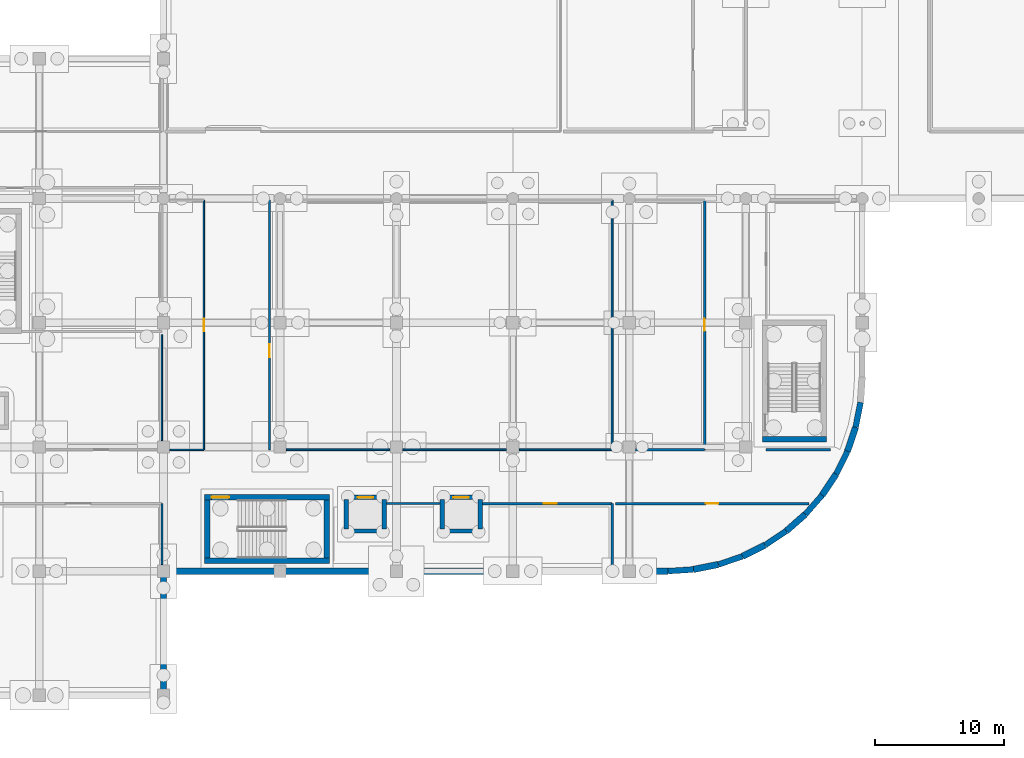
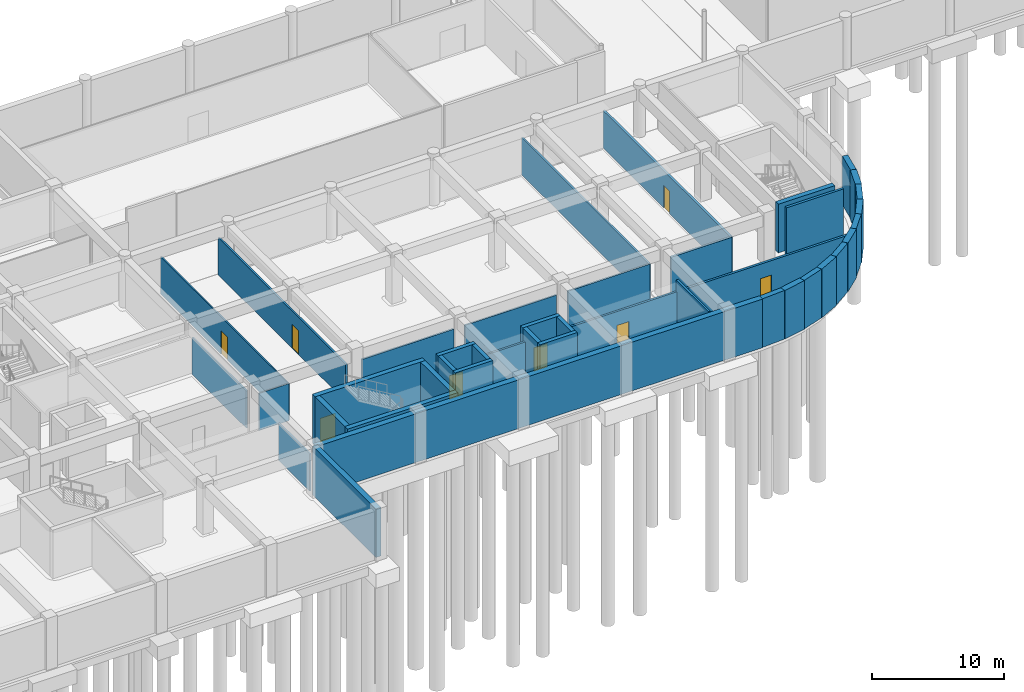
# One storey, part 16 of 47: 42 walls, 8 doors, 8 openings.
"""IFC4 building model written with IfcOpenShell, lengths in metres."""

from ifc_helpers import new_model, si_unit, direction, frame, frame_2d, origin, place, context, subcontext, project, spatial, rectangle, extrude, material, layer, layer_set, type_object, element, fill, save


model = new_model("IFC4")

# Units and contexts
model_context = context("Model", 3, precision=1e-05, world=origin(), true_north=direction((0.0, 1.0)))
body_context = subcontext(model_context, "Body", "Model", "MODEL_VIEW")
ifc_project = project(units=[si_unit("LENGTHUNIT", "METRE"), si_unit("AREAUNIT", "SQUARE_METRE"), si_unit("VOLUMEUNIT", "CUBIC_METRE"), si_unit("PLANEANGLEUNIT", "RADIAN"), si_unit("MASSUNIT", "GRAM", prefix="KILO")], contexts=[model_context])

# Site, building, storey
site_placement = place(None, origin())
site = spatial("IfcSite", under=ifc_project, at=site_placement, CompositionType="ELEMENT")
building_placement = place(site_placement, origin())
building = spatial("IfcBuilding", under=site, at=building_placement, Name="Cendralis Terraced Arcade", CompositionType="ELEMENT")
storey_placement = place(building_placement, frame((0.0, 0.0, -4.800048828125)))
storey = spatial("IfcBuildingStorey", under=building, at=storey_placement, Name="B1", CompositionType="ELEMENT", Elevation=-4.800048828125)

# Wall, opening, door
ifc_material_1 = material(Name="Gypsum plasterboard acoustic partition", Category="concrete")
ifc_layer_1 = layer(ifc_material_1, 0.195068359375, Name="WL-ACOU-195")
ifc_layer_set_1 = layer_set([ifc_layer_1], Name="Gypsum plasterboard acoustic partition")
wall_type_1 = type_object("IfcWallType", Name="WL-ACOU-195", PredefinedType="PARTITIONING", material=ifc_layer_set_1)
wall_1_placement = place(storey_placement, frame((109.02001953125, 38.280029296875, 0.0), z_axis=(0.0, 0.0, 1.0), x_axis=(0.0, -1.0, 0.0)))
wall_1 = element("IfcWall", 1, at=wall_1_placement, inside=storey, type_object=wall_type_1, Name="Interior Partition Wall IW-B1-0147", PredefinedType="PARTITIONING", context=body_context, shape_type="SweptSolid", body=[
    extrude(rectangle(XDim=19.300048828125, YDim=0.195068359375, at=frame_2d((9.64990234375, 0.0))), origin(), (0.0, 0.0, 1.0), 3.43994140625),
])
opening_1_placement = place(wall_1_placement, frame((9.18994140625, 0.0, 0.0)))
opening_1 = element("IfcOpeningElement", 2, at=opening_1_placement, cuts=wall_1, Name="Opening D-B1-048", PredefinedType="OPENING", context=body_context, shape_type="SweptSolid", body=[
    extrude(rectangle(XDim=0.919921875, YDim=2.10009765625, at=frame_2d((0.4599609375, 1.050048828125))), frame((0.0, 0.109375, 0.0), z_axis=(0.0, -1.0, 0.0), x_axis=(1.0, 0.0, 0.0)), (0.0, 0.0, 1.0), 0.218994140625),
])
ifc_material_2 = material(Name="Solid core Andean oak veneer door leaf", Category="aluminium")
door_type_1 = type_object("IfcDoorType", Name="ID-RM-0920x2100", OperationType="NOTDEFINED", PredefinedType="DOOR", material=ifc_material_2)
door_1_placement = place(opening_1_placement, origin())
door_1 = element("IfcDoor", 3, at=door_1_placement, inside=storey, type_object=door_type_1, Name="Culinary Cold Stockroom and Wine Vault Door D-B1-048", OperationType="SINGLE_SWING_RIGHT", OverallHeight=2.10009765625, OverallWidth=0.919921875, PredefinedType="DOOR", context=body_context, shape_type="SweptSolid", body=[
    extrude(rectangle(XDim=0.919921875, YDim=2.10009765625, at=frame_2d((0.4599609375, 1.050048828125))), frame((0.0, 0.02490234375, 0.0), z_axis=(0.0, -1.0, 0.0), x_axis=(1.0, 0.0, 0.0)), (0.0, 0.0, 1.0), 0.050048828125),
])
fill(opening_1, door_1)

ifc_layer_2 = layer(ifc_material_1, 0.205078125, Name="WL-ACOU-205")
ifc_layer_set_2 = layer_set([ifc_layer_2], Name="Gypsum plasterboard acoustic partition")
wall_type_2 = type_object("IfcWallType", Name="WL-ACOU-205", PredefinedType="PARTITIONING", material=ifc_layer_set_2)
wall_2_placement = place(storey_placement, frame((102.1201171875, 14.820068359375, 0.0), z_axis=(0.0, 0.0, 1.0), x_axis=(1.0, 0.0, 0.0)))
wall_2 = element("IfcWall", 4, at=wall_2_placement, inside=storey, type_object=wall_type_2, Name="Interior Partition Wall IW-B1-0146", PredefinedType="PARTITIONING", context=body_context, shape_type="SweptSolid", body=[
    extrude(rectangle(XDim=14.959228515625, YDim=0.205078125, at=frame_2d((7.4794921875, 0.0))), origin(), (0.0, 0.0, 1.0), 3.43994140625),
])
opening_2_placement = place(wall_2_placement, frame((7.004638671875, 0.0, 0.0)))
opening_2 = element("IfcOpeningElement", 5, at=opening_2_placement, cuts=wall_2, Name="Opening D-B1-047", PredefinedType="OPENING", context=body_context, shape_type="SweptSolid", body=[
    extrude(rectangle(XDim=0.949951171875, YDim=2.10009765625, at=frame_2d((0.47509765625, 1.050048828125))), frame((0.0, 0.114501953125, 0.0), z_axis=(0.0, -1.0, 0.0), x_axis=(1.0, 0.0, 0.0)), (0.0, 0.0, 1.0), 0.22900390625),
])
door_type_2 = type_object("IfcDoorType", Name="ID-RM-0950x2100", OperationType="NOTDEFINED", PredefinedType="DOOR", material=ifc_material_2)
door_2_placement = place(opening_2_placement, origin())
door_2 = element("IfcDoor", 6, at=door_2_placement, inside=storey, type_object=door_type_2, Name="Culinary Cold Stockroom and Wine Vault Door D-B1-047", OperationType="SINGLE_SWING_LEFT", OverallHeight=2.10009765625, OverallWidth=0.949951171875, PredefinedType="DOOR", context=body_context, shape_type="SweptSolid", body=[
    extrude(rectangle(XDim=0.949951171875, YDim=2.10009765625, at=frame_2d((0.47509765625, 1.050048828125))), frame((0.0, 0.02490234375, 0.0), z_axis=(0.0, -1.0, 0.0), x_axis=(1.0, 0.0, 0.0)), (0.0, 0.0, 1.0), 0.050048828125),
])
fill(opening_2, door_2)

# Walls
ifc_material_3 = material(Name="Autoclaved aerated concrete blockwork", Category="masonry")
ifc_layer_3 = layer(ifc_material_3, 0.221923828125, Name="WL-ACOU-222")
ifc_layer_set_3 = layer_set([ifc_layer_3], Name="Autoclaved aerated concrete blockwork")
wall_type_3 = type_object("IfcWallType", Name="WL-ACOU-222", PredefinedType="PARTITIONING", material=ifc_layer_set_3)
wall_3_placement = place(storey_placement, frame((118.7568359375, 18.97998046875, 0.0), z_axis=(0.0, 0.0, 1.0), x_axis=(-1.0, 0.0, 0.0)))
element("IfcWall", 7, at=wall_3_placement, inside=storey, type_object=wall_type_3, Name="Interior Partition Wall IW-B1-0145", PredefinedType="PARTITIONING", context=body_context, shape_type="SweptSolid", body=[
    extrude(rectangle(XDim=4.976806640625, YDim=0.221923828125, at=frame_2d((2.48828125, 0.0))), origin(), (0.0, 0.0, 1.0), 4.5),
])
ifc_material_4 = material(Name="Concrete f'c 42 MPa", Category="concrete")
ifc_layer_4 = layer(ifc_material_4, 0.340087890625, Name="WL-CORE-340")
ifc_layer_set_4 = layer_set([ifc_layer_4], Name="Concrete f'c 42 MPa")
wall_type_4 = type_object("IfcWallType", Name="WL-CORE-340", PredefinedType="SHEAR", material=ifc_layer_set_4)
wall_4_placement = place(storey_placement, frame((81.159912109375, 12.705078125, 0.0), z_axis=(0.0, 0.0, 1.0), x_axis=(1.0, 0.0, 0.0)))
element("IfcWall", 8, at=wall_4_placement, inside=storey, type_object=wall_type_4, Name="Lift PL-07 Reinforced Concrete Shaft Wall (B1)", PredefinedType="SHEAR", context=body_context, shape_type="SweptSolid", body=[
    extrude(rectangle(XDim=3.280029296875, YDim=0.340087890625, at=frame_2d((1.64013671875, 0.0))), origin(), (0.0, 0.0, 1.0), 4.5),
])

# Wall, opening, door
wall_5_placement = place(storey_placement, frame((81.159912109375, 15.294921875, 0.0), z_axis=(0.0, 0.0, 1.0), x_axis=(1.0, 0.0, 0.0)))
wall_5 = element("IfcWall", 9, at=wall_5_placement, inside=storey, type_object=wall_type_4, Name="Lift PL-07 Reinforced Concrete Shaft Wall (B1)", PredefinedType="SHEAR", context=body_context, shape_type="SweptSolid", body=[
    extrude(rectangle(XDim=3.280029296875, YDim=0.340087890625, at=frame_2d((1.64013671875, 0.0))), origin(), (0.0, 0.0, 1.0), 4.5),
])
opening_3_placement = place(wall_5_placement, frame((1.0400390625, 0.0, 0.0)))
opening_3 = element("IfcOpeningElement", 10, at=opening_3_placement, cuts=wall_5, Name="Opening LD-PL-07-B1", PredefinedType="OPENING", context=body_context, shape_type="SweptSolid", body=[
    extrude(rectangle(XDim=1.199951171875, YDim=2.199951171875, at=frame_2d((0.60009765625, 1.10009765625))), frame((0.0, 0.18212890625, 0.0), z_axis=(0.0, -1.0, 0.0), x_axis=(1.0, 0.0, 0.0)), (0.0, 0.0, 1.0), 0.364013671875),
])
ifc_material_5 = material(Name="Anodised aluminium sliding door assembly", Category="aluminium")
door_type_3 = type_object("IfcDoorType", Name="ID-LD-PX-1200x2200", OperationType="DOUBLE_DOOR_SLIDING", PredefinedType="DOOR", material=ifc_material_5)
door_3_placement = place(opening_3_placement, origin())
door_3 = element("IfcDoor", 11, at=door_3_placement, inside=storey, type_object=door_type_3, Name="Lift PL-07 Sliding Landing Door (B1)", OperationType="DOUBLE_DOOR_SLIDING", OverallHeight=2.199951171875, OverallWidth=1.199951171875, PredefinedType="DOOR", context=body_context, shape_type="SweptSolid", body=[
    extrude(rectangle(XDim=1.199951171875, YDim=2.199951171875, at=frame_2d((0.60009765625, 1.10009765625))), frame((0.0, 0.02490234375, 0.0), z_axis=(0.0, -1.0, 0.0), x_axis=(1.0, 0.0, 0.0)), (0.0, 0.0, 1.0), 0.050048828125),
])
fill(opening_3, door_3)

# Walls
for number, where, z_axis, x_axis, name in (
    (12, (81.330078125, 12.875, 0.0), (0.0, 0.0, 1.0), (0.0, 1.0, 0.0), "Lift PL-07 Reinforced Concrete Shaft Wall (B1)"),
    (13, (84.27001953125, 12.875, 0.0), (0.0, 0.0, 1.0), (0.0, 1.0, 0.0), "Lift PL-07 Reinforced Concrete Shaft Wall (B1)"),
):
    element("IfcWall", number, at=place(storey_placement, frame(where, z_axis=z_axis, x_axis=x_axis)), inside=storey, type_object=wall_type_4, Name=name, PredefinedType="SHEAR", context=body_context, shape_type="SweptSolid", body=[
        extrude(rectangle(XDim=2.25, YDim=0.340087890625, at=frame_2d((1.125, 0.0))), origin(), (0.0, 0.0, 1.0), 4.5),
    ])
wall_6_placement = place(storey_placement, frame((88.56005859375, 12.705078125, 0.0), z_axis=(0.0, 0.0, 1.0), x_axis=(1.0, 0.0, 0.0)))
element("IfcWall", 14, at=wall_6_placement, inside=storey, type_object=wall_type_4, Name="Lift PL-08 Reinforced Concrete Shaft Wall (B1)", PredefinedType="SHEAR", context=body_context, shape_type="SweptSolid", body=[
    extrude(rectangle(XDim=3.280029296875, YDim=0.340087890625, at=frame_2d((1.64013671875, 0.0))), origin(), (0.0, 0.0, 1.0), 4.5),
])

# Wall, opening, door
wall_7_placement = place(storey_placement, frame((88.56005859375, 15.294921875, 0.0), z_axis=(0.0, 0.0, 1.0), x_axis=(1.0, 0.0, 0.0)))
wall_7 = element("IfcWall", 15, at=wall_7_placement, inside=storey, type_object=wall_type_4, Name="Lift PL-08 Reinforced Concrete Shaft Wall (B1)", PredefinedType="SHEAR", context=body_context, shape_type="SweptSolid", body=[
    extrude(rectangle(XDim=3.280029296875, YDim=0.340087890625, at=frame_2d((1.64013671875, 0.0))), origin(), (0.0, 0.0, 1.0), 4.5),
])
opening_4_placement = place(wall_7_placement, frame((1.0400390625, 0.0, 0.0)))
opening_4 = element("IfcOpeningElement", 16, at=opening_4_placement, cuts=wall_7, Name="Opening LD-PL-08-B1", PredefinedType="OPENING", context=body_context, shape_type="SweptSolid", body=[
    extrude(rectangle(XDim=1.199951171875, YDim=2.199951171875, at=frame_2d((0.60009765625, 1.10009765625))), frame((0.0, 0.18212890625, 0.0), z_axis=(0.0, -1.0, 0.0), x_axis=(1.0, 0.0, 0.0)), (0.0, 0.0, 1.0), 0.364013671875),
])
door_4_placement = place(opening_4_placement, origin())
door_4 = element("IfcDoor", 17, at=door_4_placement, inside=storey, type_object=door_type_3, Name="Lift PL-08 Sliding Landing Door (B1)", OperationType="DOUBLE_DOOR_SLIDING", OverallHeight=2.199951171875, OverallWidth=1.199951171875, PredefinedType="DOOR", context=body_context, shape_type="SweptSolid", body=[
    extrude(rectangle(XDim=1.199951171875, YDim=2.199951171875, at=frame_2d((0.60009765625, 1.10009765625))), frame((0.0, 0.02490234375, 0.0), z_axis=(0.0, -1.0, 0.0), x_axis=(1.0, 0.0, 0.0)), (0.0, 0.0, 1.0), 0.050048828125),
])
fill(opening_4, door_4)

# Walls
for number, where, z_axis, x_axis, name in (
    (18, (88.72998046875, 12.875, 0.0), (0.0, 0.0, 1.0), (0.0, 1.0, 0.0), "Lift PL-08 Reinforced Concrete Shaft Wall (B1)"),
    (19, (91.669921875, 12.875, 0.0), (0.0, 0.0, 1.0), (0.0, 1.0, 0.0), "Lift PL-08 Reinforced Concrete Shaft Wall (B1)"),
):
    element("IfcWall", number, at=place(storey_placement, frame(where, z_axis=z_axis, x_axis=x_axis)), inside=storey, type_object=wall_type_4, Name=name, PredefinedType="SHEAR", context=body_context, shape_type="SweptSolid", body=[
        extrude(rectangle(XDim=2.25, YDim=0.340087890625, at=frame_2d((1.125, 0.0))), origin(), (0.0, 0.0, 1.0), 4.5),
    ])
ifc_layer_5 = layer(ifc_material_4, 0.419921875, Name="WL-CORE-420")
ifc_layer_set_5 = layer_set([ifc_layer_5], Name="Concrete f'c 42 MPa")
wall_type_5 = type_object("IfcWallType", Name="WL-CORE-420", PredefinedType="SHEAR", material=ifc_layer_set_5)
wall_8_placement = place(storey_placement, frame((70.3798828125, 10.389892578125, 0.0), z_axis=(0.0, 0.0, 1.0), x_axis=(1.0, 0.0, 0.0)))
element("IfcWall", 20, at=wall_8_placement, inside=storey, type_object=wall_type_5, Name="Stair Core Reinforced Concrete Shear Wall SW-ST-08-B1-S", PredefinedType="SHEAR", context=body_context, shape_type="SweptSolid", body=[
    extrude(rectangle(XDim=9.64013671875, YDim=0.419921875, at=frame_2d((4.820068359375, 0.0))), origin(), (0.0, 0.0, 1.0), 4.5),
])

# Wall, opening, door
wall_9_placement = place(storey_placement, frame((70.3798828125, 15.31005859375, 0.0), z_axis=(0.0, 0.0, 1.0), x_axis=(1.0, 0.0, 0.0)))
wall_9 = element("IfcWall", 21, at=wall_9_placement, inside=storey, type_object=wall_type_5, Name="Stair Core Reinforced Concrete Shear Wall SW-ST-08-B1-N", PredefinedType="SHEAR", context=body_context, shape_type="SweptSolid", body=[
    extrude(rectangle(XDim=9.64013671875, YDim=0.419921875, at=frame_2d((4.820068359375, 0.0))), origin(), (0.0, 0.0, 1.0), 4.5),
])
opening_5_placement = place(wall_9_placement, frame((0.550048828125, 0.0, 0.0)))
opening_5 = element("IfcOpeningElement", 22, at=opening_5_placement, cuts=wall_9, Name="Opening D-ST-08-B1", PredefinedType="OPENING", context=body_context, shape_type="SweptSolid", body=[
    extrude(rectangle(XDim=1.35009765625, YDim=2.199951171875, at=frame_2d((0.675048828125, 1.10009765625))), frame((0.0, 0.221923828125, 0.0), z_axis=(0.0, -1.0, 0.0), x_axis=(1.0, 0.0, 0.0)), (0.0, 0.0, 1.0), 0.44384765625),
])
ifc_material_6 = material(Name="Galvanised fire-rated steel door assembly", Category="steel")
door_type_4 = type_object("IfcDoorType", Name="ID-ST-1350x2200", OperationType="NOTDEFINED", PredefinedType="DOOR", material=ifc_material_6)
door_5_placement = place(opening_5_placement, frame((1.35009765625, 0.0, 0.0), z_axis=(0.0, 0.0, 1.0), x_axis=(-1.0, 0.0, 0.0)))
door_5 = element("IfcDoor", 23, at=door_5_placement, inside=storey, type_object=door_type_4, Name="Protected Stair ST-08 Fire Door (B1)", OperationType="SINGLE_SWING_RIGHT", OverallHeight=2.199951171875, OverallWidth=1.35009765625, PredefinedType="DOOR", context=body_context, shape_type="SweptSolid", body=[
    extrude(rectangle(XDim=1.35009765625, YDim=2.199951171875, at=frame_2d((0.675048828125, 1.10009765625))), frame((0.0, 0.02490234375, 0.0), z_axis=(0.0, -1.0, 0.0), x_axis=(1.0, 0.0, 0.0)), (0.0, 0.0, 1.0), 0.050048828125),
])
fill(opening_5, door_5)

# Walls
for number, where, z_axis, x_axis, name in (
    (24, (79.81005859375, 10.60009765625, 0.0), (0.0, 0.0, 1.0), (0.0, 1.0, 0.0), "Stair Core Reinforced Concrete Shear Wall SW-ST-08-B1-E"),
    (25, (70.590087890625, 10.60009765625, 0.0), (0.0, 0.0, 1.0), (0.0, 1.0, 0.0), "Stair Core Reinforced Concrete Shear Wall SW-ST-08-B1-W"),
):
    element("IfcWall", number, at=place(storey_placement, frame(where, z_axis=z_axis, x_axis=x_axis)), inside=storey, type_object=wall_type_5, Name=name, PredefinedType="SHEAR", context=body_context, shape_type="SweptSolid", body=[
        extrude(rectangle(XDim=4.5, YDim=0.419921875, at=frame_2d((2.25, 0.0))), origin(), (0.0, 0.0, 1.0), 4.5),
    ])
wall_10_placement = place(storey_placement, frame((113.47998046875, 19.7900390625, 0.0), z_axis=(0.0, 0.0, 1.0), x_axis=(1.0, 0.0, 0.0)))
element("IfcWall", 26, at=wall_10_placement, inside=storey, type_object=wall_type_5, Name="Stair Core Reinforced Concrete Shear Wall SW-ST-09-B1-S", PredefinedType="SHEAR", context=body_context, shape_type="SweptSolid", body=[
    extrude(rectangle(XDim=4.93994140625, YDim=0.419921875, at=frame_2d((2.469970703125, 0.0))), origin(), (0.0, 0.0, 1.0), 4.5),
])
ifc_layer_6 = layer(ifc_material_1, 0.114990234375, Name="WL-PART-115")
ifc_layer_set_6 = layer_set([ifc_layer_6], Name="Gypsum plasterboard acoustic partition")
wall_type_6 = type_object("IfcWallType", Name="WL-PART-115", PredefinedType="PARTITIONING", material=ifc_layer_set_6)
wall_11_placement = place(storey_placement, frame((70.320068359375, 18.97998046875, 0.0), z_axis=(0.0, 0.0, 1.0), x_axis=(-1.0, 0.0, 0.0)))
element("IfcWall", 27, at=wall_11_placement, inside=storey, type_object=wall_type_6, Name="Interior Partition Wall IW-B1-0142", PredefinedType="PARTITIONING", context=body_context, shape_type="SweptSolid", body=[
    extrude(rectangle(XDim=2.625, YDim=0.114990234375, at=frame_2d((1.3125, 0.0))), origin(), (0.0, 0.0, 1.0), 3.43994140625),
])
ifc_layer_7 = layer(ifc_material_1, 0.1220703125, Name="WL-PART-122")
ifc_layer_set_7 = layer_set([ifc_layer_7], Name="Gypsum plasterboard acoustic partition")
wall_type_7 = type_object("IfcWallType", Name="WL-PART-122", PredefinedType="PARTITIONING", material=ifc_layer_set_7)
wall_12_placement = place(storey_placement, frame((67.080078125, 27.8798828125, 0.0), z_axis=(0.0, 0.0, 1.0), x_axis=(0.0, -1.0, 0.0)))
element("IfcWall", 28, at=wall_12_placement, inside=storey, type_object=wall_type_7, Name="Interior Partition Wall IW-B1-0119", PredefinedType="PARTITIONING", context=body_context, shape_type="SweptSolid", body=[
    extrude(rectangle(XDim=8.184814453125, YDim=0.1220703125, at=frame_2d((4.09228515625, 0.0))), origin(), (0.0, 0.0, 1.0), 3.43994140625),
])

# Wall, opening, door
wall_13_placement = place(storey_placement, frame((70.320068359375, 38.280029296875, 0.0), z_axis=(0.0, 0.0, 1.0), x_axis=(0.0, -1.0, 0.0)))
wall_13 = element("IfcWall", 29, at=wall_13_placement, inside=storey, type_object=wall_type_7, Name="Interior Partition Wall IW-B1-0140", PredefinedType="PARTITIONING", context=body_context, shape_type="SweptSolid", body=[
    extrude(rectangle(XDim=19.300048828125, YDim=0.1220703125, at=frame_2d((9.64990234375, 0.0))), origin(), (0.0, 0.0, 1.0), 3.43994140625),
])
opening_6_placement = place(wall_13_placement, frame((9.159912109375, 0.0, 0.0)))
opening_6 = element("IfcOpeningElement", 30, at=opening_6_placement, cuts=wall_13, Name="Opening D-B1-045", PredefinedType="OPENING", context=body_context, shape_type="SweptSolid", body=[
    extrude(rectangle(XDim=0.97998046875, YDim=2.14990234375, at=frame_2d((0.489990234375, 1.074951171875))), frame((0.0, 0.072998046875, 0.0), z_axis=(0.0, -1.0, 0.0), x_axis=(1.0, 0.0, 0.0)), (0.0, 0.0, 1.0), 0.14599609375),
])
door_type_5 = type_object("IfcDoorType", Name="ID-RM-0980x2150", OperationType="NOTDEFINED", PredefinedType="DOOR", material=ifc_material_2)
door_6_placement = place(opening_6_placement, origin())
door_6 = element("IfcDoor", 31, at=door_6_placement, inside=storey, type_object=door_type_5, Name="Specialty Supermarket and Wine Cellar Door D-B1-045", OperationType="SINGLE_SWING_LEFT", OverallHeight=2.14990234375, OverallWidth=0.97998046875, PredefinedType="DOOR", context=body_context, shape_type="SweptSolid", body=[
    extrude(rectangle(XDim=0.97998046875, YDim=2.14990234375, at=frame_2d((0.489990234375, 1.074951171875))), frame((0.0, 0.02490234375, 0.0), z_axis=(0.0, -1.0, 0.0), x_axis=(1.0, 0.0, 0.0)), (0.0, 0.0, 1.0), 0.050048828125),
])
fill(opening_6, door_6)

# Walls
ifc_layer_8 = layer(ifc_material_1, 0.137939453125, Name="WL-PART-138")
ifc_layer_set_8 = layer_set([ifc_layer_8], Name="Gypsum plasterboard acoustic partition")
wall_type_8 = type_object("IfcWallType", Name="WL-PART-138", PredefinedType="PARTITIONING", material=ifc_layer_set_8)
wall_14_placement = place(storey_placement, frame((67.080078125, 14.820068359375, 0.0), z_axis=(0.0, 0.0, 1.0), x_axis=(0.0, -1.0, 0.0)))
element("IfcWall", 32, at=wall_14_placement, inside=storey, type_object=wall_type_8, Name="Interior Partition Wall IW-B1-0116", PredefinedType="PARTITIONING", context=body_context, shape_type="SweptSolid", body=[
    extrude(rectangle(XDim=4.72509765625, YDim=0.137939453125, at=frame_2d((2.362548828125, 0.0))), origin(), (0.0, 0.0, 1.0), 3.43994140625),
])
ifc_layer_9 = layer(ifc_material_1, 0.14208984375, Name="WL-PART-142")
ifc_layer_set_9 = layer_set([ifc_layer_9], Name="Gypsum plasterboard acoustic partition")
wall_type_9 = type_object("IfcWallType", Name="WL-PART-142", PredefinedType="PARTITIONING", material=ifc_layer_set_9)
wall_15_placement = place(storey_placement, frame((101.8798828125, 18.97998046875, 0.0), z_axis=(0.0, 0.0, 1.0), x_axis=(-1.0, 0.0, 0.0)))
element("IfcWall", 33, at=wall_15_placement, inside=storey, type_object=wall_type_9, Name="Interior Partition Wall IW-B1-0136", PredefinedType="PARTITIONING", context=body_context, shape_type="SweptSolid", body=[
    extrude(rectangle(XDim=7.184814453125, YDim=0.14208984375, at=frame_2d((3.59228515625, 0.0))), origin(), (0.0, 0.0, 1.0), 3.43994140625),
])
ifc_layer_10 = layer(ifc_material_1, 0.14501953125, Name="WL-PART-145")
ifc_layer_set_10 = layer_set([ifc_layer_10], Name="Gypsum plasterboard acoustic partition")
wall_type_10 = type_object("IfcWallType", Name="WL-PART-145", PredefinedType="PARTITIONING", material=ifc_layer_set_10)
wall_16_placement = place(storey_placement, frame((93.705078125, 18.97998046875, 0.0), z_axis=(0.0, 0.0, 1.0), x_axis=(-1.0, 0.0, 0.0)))
element("IfcWall", 34, at=wall_16_placement, inside=storey, type_object=wall_type_10, Name="Interior Partition Wall IW-B1-0135", PredefinedType="PARTITIONING", context=body_context, shape_type="SweptSolid", body=[
    extrude(rectangle(XDim=8.010009765625, YDim=0.14501953125, at=frame_2d((4.0048828125, 0.0))), origin(), (0.0, 0.0, 1.0), 3.43994140625),
])
ifc_layer_11 = layer(ifc_material_1, 0.14990234375, Name="WL-PART-150")
ifc_layer_set_11 = layer_set([ifc_layer_11], Name="Gypsum plasterboard acoustic partition")
wall_type_11 = type_object("IfcWallType", Name="WL-PART-150", PredefinedType="PARTITIONING", material=ifc_layer_set_11)
wall_17_placement = place(storey_placement, frame((84.705078125, 18.97998046875, 0.0), z_axis=(0.0, 0.0, 1.0), x_axis=(-1.0, 0.0, 0.0)))
element("IfcWall", 35, at=wall_17_placement, inside=storey, type_object=wall_type_11, Name="Interior Partition Wall IW-B1-0134", PredefinedType="PARTITIONING", context=body_context, shape_type="SweptSolid", body=[
    extrude(rectangle(XDim=8.010009765625, YDim=0.14990234375, at=frame_2d((4.0048828125, 0.0))), origin(), (0.0, 0.0, 1.0), 3.43994140625),
])
ifc_layer_12 = layer(ifc_material_1, 0.154052734375, Name="WL-PART-154")
ifc_layer_set_12 = layer_set([ifc_layer_12], Name="Gypsum plasterboard acoustic partition")
wall_type_12 = type_object("IfcWallType", Name="WL-PART-154", PredefinedType="PARTITIONING", material=ifc_layer_set_12)
wall_18_placement = place(storey_placement, frame((101.8798828125, 38.280029296875, 0.0), z_axis=(0.0, 0.0, 1.0), x_axis=(0.0, -1.0, 0.0)))
element("IfcWall", 36, at=wall_18_placement, inside=storey, type_object=wall_type_12, Name="Interior Partition Wall IW-B1-0133", PredefinedType="PARTITIONING", context=body_context, shape_type="SweptSolid", body=[
    extrude(rectangle(XDim=19.300048828125, YDim=0.154052734375, at=frame_2d((9.64990234375, 0.0))), origin(), (0.0, 0.0, 1.0), 3.43994140625),
])

# Wall, opening, door
ifc_layer_13 = layer(ifc_material_1, 0.159912109375, Name="WL-PART-160")
ifc_layer_set_13 = layer_set([ifc_layer_13], Name="Gypsum plasterboard acoustic partition")
wall_type_13 = type_object("IfcWallType", Name="WL-PART-160", PredefinedType="PARTITIONING", material=ifc_layer_set_13)
wall_19_placement = place(storey_placement, frame((75.3798828125, 18.97998046875, 0.0), z_axis=(0.0, 0.0, 1.0), x_axis=(0.0, 1.0, 0.0)))
wall_19 = element("IfcWall", 37, at=wall_19_placement, inside=storey, type_object=wall_type_13, Name="Interior Partition Wall IW-B1-0132", PredefinedType="PARTITIONING", context=body_context, shape_type="SweptSolid", body=[
    extrude(rectangle(XDim=19.300048828125, YDim=0.159912109375, at=frame_2d((9.64990234375, 0.0))), origin(), (0.0, 0.0, 1.0), 3.43994140625),
])
opening_7_placement = place(wall_19_placement, frame((7.14990234375, 0.0, 0.0)))
opening_7 = element("IfcOpeningElement", 38, at=opening_7_placement, cuts=wall_19, Name="Opening D-B1-044", PredefinedType="OPENING", context=body_context, shape_type="SweptSolid", body=[
    extrude(rectangle(XDim=1.0, YDim=2.199951171875, at=frame_2d((0.5, 1.10009765625))), frame((0.0, 0.091796875, 0.0), z_axis=(0.0, -1.0, 0.0), x_axis=(1.0, 0.0, 0.0)), (0.0, 0.0, 1.0), 0.183837890625),
])
door_type_6 = type_object("IfcDoorType", Name="ID-RM-1000x2200", OperationType="NOTDEFINED", PredefinedType="DOOR", material=ifc_material_2)
door_7_placement = place(opening_7_placement, origin())
door_7 = element("IfcDoor", 39, at=door_7_placement, inside=storey, type_object=door_type_6, Name="Specialty Supermarket and Wine Cellar Door D-B1-044", OperationType="SINGLE_SWING_RIGHT", OverallHeight=2.199951171875, OverallWidth=1.0, PredefinedType="DOOR", context=body_context, shape_type="SweptSolid", body=[
    extrude(rectangle(XDim=1.0, YDim=2.199951171875, at=frame_2d((0.5, 1.10009765625))), frame((0.0, 0.02490234375, 0.0), z_axis=(0.0, -1.0, 0.0), x_axis=(1.0, 0.0, 0.0)), (0.0, 0.0, 1.0), 0.050048828125),
])
fill(opening_7, door_7)

# Walls
ifc_layer_14 = layer(ifc_material_1, 0.169921875, Name="WL-PART-170")
ifc_layer_set_14 = layer_set([ifc_layer_14], Name="Gypsum plasterboard acoustic partition")
wall_type_14 = type_object("IfcWallType", Name="WL-PART-170", PredefinedType="PARTITIONING", material=ifc_layer_set_14)
wall_20_placement = place(storey_placement, frame((84.43994140625, 14.820068359375, 0.0), z_axis=(0.0, 0.0, 1.0), x_axis=(1.0, 0.0, 0.0)))
element("IfcWall", 40, at=wall_20_placement, inside=storey, type_object=wall_type_14, Name="Interior Partition Wall IW-B1-0131", PredefinedType="PARTITIONING", context=body_context, shape_type="SweptSolid", body=[
    extrude(rectangle(XDim=4.1201171875, YDim=0.169921875, at=frame_2d((2.06005859375, 0.0))), origin(), (0.0, 0.0, 1.0), 3.43994140625),
])
ifc_layer_15 = layer(ifc_material_1, 0.175048828125, Name="WL-PART-175")
ifc_layer_set_15 = layer_set([ifc_layer_15], Name="Gypsum plasterboard acoustic partition")
wall_type_15 = type_object("IfcWallType", Name="WL-PART-175", PredefinedType="PARTITIONING", material=ifc_layer_set_15)
wall_21_placement = place(storey_placement, frame((101.8798828125, 14.820068359375, 0.0), z_axis=(0.0, 0.0, 1.0), x_axis=(0.0, -1.0, 0.0)))
element("IfcWall", 41, at=wall_21_placement, inside=storey, type_object=wall_type_15, Name="Interior Partition Wall IW-B1-0130", PredefinedType="PARTITIONING", context=body_context, shape_type="SweptSolid", body=[
    extrude(rectangle(XDim=4.880126953125, YDim=0.175048828125, at=frame_2d((2.43994140625, 0.0))), origin(), (0.0, 0.0, 1.0), 4.5),
])

# Wall, opening, door
ifc_layer_16 = layer(ifc_material_1, 0.179931640625, Name="WL-PART-180")
ifc_layer_set_16 = layer_set([ifc_layer_16], Name="Gypsum plasterboard acoustic partition")
wall_type_16 = type_object("IfcWallType", Name="WL-PART-180", PredefinedType="PARTITIONING", material=ifc_layer_set_16)
wall_22_placement = place(storey_placement, frame((91.840087890625, 14.820068359375, 0.0), z_axis=(0.0, 0.0, 1.0), x_axis=(1.0, 0.0, 0.0)))
wall_22 = element("IfcWall", 42, at=wall_22_placement, inside=storey, type_object=wall_type_16, Name="Interior Partition Wall IW-B1-0129", PredefinedType="PARTITIONING", context=body_context, shape_type="SweptSolid", body=[
    extrude(rectangle(XDim=10.039794921875, YDim=0.179931640625, at=frame_2d((5.02001953125, 0.0))), origin(), (0.0, 0.0, 1.0), 3.43994140625),
])
opening_8_placement = place(wall_22_placement, frame((4.73828125, 0.0, 0.0)))
opening_8 = element("IfcOpeningElement", 43, at=opening_8_placement, cuts=wall_22, Name="Opening D-B1-043", PredefinedType="OPENING", context=body_context, shape_type="SweptSolid", body=[
    extrude(rectangle(XDim=1.030029296875, YDim=2.159912109375, at=frame_2d((0.51513671875, 1.080078125))), frame((0.0, 0.10205078125, 0.0), z_axis=(0.0, -1.0, 0.0), x_axis=(1.0, 0.0, 0.0)), (0.0, 0.0, 1.0), 0.203857421875),
])
door_type_7 = type_object("IfcDoorType", Name="ID-RM-1030x2160", OperationType="NOTDEFINED", PredefinedType="DOOR", material=ifc_material_2)
door_8_placement = place(opening_8_placement, origin())
door_8 = element("IfcDoor", 44, at=door_8_placement, inside=storey, type_object=door_type_7, Name="Specialty Supermarket and Wine Cellar Door D-B1-043", OperationType="SINGLE_SWING_LEFT", OverallHeight=2.159912109375, OverallWidth=1.030029296875, PredefinedType="DOOR", context=body_context, shape_type="SweptSolid", body=[
    extrude(rectangle(XDim=1.030029296875, YDim=2.159912109375, at=frame_2d((0.51513671875, 1.080078125))), frame((0.0, 0.02490234375, 0.0), z_axis=(0.0, -1.0, 0.0), x_axis=(1.0, 0.0, 0.0)), (0.0, 0.0, 1.0), 0.050048828125),
])
fill(opening_8, door_8)

# Walls
ifc_layer_17 = layer(ifc_material_1, 0.18505859375, Name="WL-PART-185")
ifc_layer_set_17 = layer_set([ifc_layer_17], Name="Gypsum plasterboard acoustic partition")
wall_type_17 = type_object("IfcWallType", Name="WL-PART-185", PredefinedType="PARTITIONING", material=ifc_layer_set_17)
wall_23_placement = place(storey_placement, frame((109.02001953125, 18.97998046875, 0.0), z_axis=(0.0, 0.0, 1.0), x_axis=(-1.0, 0.0, 0.0)))
element("IfcWall", 45, at=wall_23_placement, inside=storey, type_object=wall_type_17, Name="Interior Partition Wall IW-B1-0149", PredefinedType="PARTITIONING", context=body_context, shape_type="SweptSolid", body=[
    extrude(rectangle(XDim=5.324951171875, YDim=0.18505859375, at=frame_2d((2.66259765625, 0.0))), origin(), (0.0, 0.0, 1.0), 3.43994140625),
])
ifc_material_7 = material(Name="Concrete f'c 35 MPa", Category="concrete")
ifc_layer_18 = layer(ifc_material_7, 0.449951171875, Name="WL-RET-450")
ifc_layer_set_18 = layer_set([ifc_layer_18], Name="Concrete f'c 35 MPa")
wall_type_18 = type_object("IfcWallType", Name="WL-RET-450", PredefinedType="USERDEFINED", material=ifc_layer_set_18)
for number, where, z_axis, x_axis, name in (
    (46, (121.07177734375, 22.64208984375, 0.0), (0.0, 0.0, 1.0), (-0.19511099609, -0.980781167848, 0.0), "Basement Reinforced Concrete Retaining Wall RW-B1-02"),
    (47, (120.05810546875, 18.859619140625, 0.0), (0.0, 0.0, 1.0), (-0.4422787716, -0.896877632786, 0.0), "Basement Reinforced Concrete Retaining Wall RW-B1-04"),
    (48, (118.100341796875, 15.468505859375, 0.0), (0.0, 0.0, 1.0), (-0.659367493455, -0.751820795519, 0.0), "Basement Reinforced Concrete Retaining Wall RW-B1-06"),
):
    element("IfcWall", number, at=place(storey_placement, frame(where, z_axis=z_axis, x_axis=x_axis)), inside=storey, type_object=wall_type_18, Name=name, ObjectType="RETAINING WALL", PredefinedType="USERDEFINED", context=body_context, shape_type="SweptSolid", body=[
        extrude(rectangle(XDim=1.9619140625, YDim=0.449951171875, at=frame_2d((0.98095703125, 0.0))), origin(), (0.0, 0.0, 1.0), 4.5),
    ])
wall_24_placement = place(storey_placement, frame((115.331298828125, 12.69970703125, 0.0), z_axis=(0.0, 0.0, 1.0), x_axis=(-0.831456371993, -0.555590048032, 0.0)))
element("IfcWall", 49, at=wall_24_placement, inside=storey, type_object=wall_type_18, Name="Basement Reinforced Concrete Retaining Wall RW-B1-08", ObjectType="RETAINING WALL", PredefinedType="USERDEFINED", context=body_context, shape_type="SweptSolid", body=[
    extrude(rectangle(XDim=1.962158203125, YDim=0.449951171875, at=frame_2d((0.98095703125, 0.0))), origin(), (0.0, 0.0, 1.0), 4.5),
])
wall_25_placement = place(storey_placement, frame((111.940185546875, 10.74169921875, 0.0), z_axis=(0.0, 0.0, 1.0), x_axis=(-0.946939480853, -0.321411915774, 0.0)))
element("IfcWall", 50, at=wall_25_placement, inside=storey, type_object=wall_type_18, Name="Basement Reinforced Concrete Retaining Wall RW-B1-10", ObjectType="RETAINING WALL", PredefinedType="USERDEFINED", context=body_context, shape_type="SweptSolid", body=[
    extrude(rectangle(XDim=1.9619140625, YDim=0.449951171875, at=frame_2d((0.98095703125, 0.0))), origin(), (0.0, 0.0, 1.0), 4.5),
])
wall_26_placement = place(storey_placement, frame((108.157958984375, 9.728271484375, 0.0), z_axis=(0.0, 0.0, 1.0), x_axis=(-0.997864267614, -0.065321538715, 0.0)))
element("IfcWall", 51, at=wall_26_placement, inside=storey, type_object=wall_type_18, Name="Basement Reinforced Concrete Retaining Wall RW-B1-12", ObjectType="RETAINING WALL", PredefinedType="USERDEFINED", context=body_context, shape_type="SweptSolid", body=[
    extrude(rectangle(XDim=1.962158203125, YDim=0.449951171875, at=frame_2d((0.98095703125, 0.0))), origin(), (0.0, 0.0, 1.0), 4.5),
])
wall_27_placement = place(storey_placement, frame((67.199951171875, 9.60009765625, 0.0), z_axis=(0.0, 0.0, 1.0), x_axis=(0.0, -1.0, 0.0)))
element("IfcWall", 52, at=wall_27_placement, inside=storey, type_object=wall_type_18, Name="Basement Reinforced Concrete Retaining Wall RW-B1-14", ObjectType="RETAINING WALL", PredefinedType="USERDEFINED", context=body_context, shape_type="SweptSolid", body=[
    extrude(rectangle(XDim=9.60009765625, YDim=0.449951171875, at=frame_2d((4.800048828125, 0.0))), origin(), (0.0, 0.0, 1.0), 4.5),
])
ifc_layer_19 = layer(ifc_material_7, 0.5, Name="WL-RET-500")
ifc_layer_set_19 = layer_set([ifc_layer_19], Name="Concrete f'c 35 MPa")
wall_type_19 = type_object("IfcWallType", Name="WL-RET-500", PredefinedType="USERDEFINED", material=ifc_layer_set_19)
wall_28_placement = place(storey_placement, frame((120.68896484375, 20.7177734375, 0.0), z_axis=(0.0, 0.0, 1.0), x_axis=(-0.321485609747, -0.946914464313, 0.0)))
element("IfcWall", 53, at=wall_28_placement, inside=storey, type_object=wall_type_19, Name="Basement Reinforced Concrete Retaining Wall RW-B1-03", ObjectType="RETAINING WALL", PredefinedType="USERDEFINED", context=body_context, shape_type="SweptSolid", body=[
    extrude(rectangle(XDim=1.96240234375, YDim=0.5, at=frame_2d((0.981201171875, 0.0))), origin(), (0.0, 0.0, 1.0), 4.5),
])
for number, where, z_axis, x_axis, name in (
    (54, (119.1904296875, 17.10009765625, 0.0), (0.0, 0.0, 1.0), (-0.555532571306, -0.831494775821, 0.0), "Basement Reinforced Concrete Retaining Wall RW-B1-05"),
    (55, (116.806640625, 13.993408203125, 0.0), (0.0, 0.0, 1.0), (-0.751874886859, -0.659305812587, 0.0), "Basement Reinforced Concrete Retaining Wall RW-B1-07"),
    (56, (113.699951171875, 11.609619140625, 0.0), (0.0, 0.0, 1.0), (-0.89685261461, -0.44232950124, 0.0), "Basement Reinforced Concrete Retaining Wall RW-B1-09"),
):
    element("IfcWall", number, at=place(storey_placement, frame(where, z_axis=z_axis, x_axis=x_axis)), inside=storey, type_object=wall_type_19, Name=name, ObjectType="RETAINING WALL", PredefinedType="USERDEFINED", context=body_context, shape_type="SweptSolid", body=[
        extrude(rectangle(XDim=1.962158203125, YDim=0.5, at=frame_2d((0.98095703125, 0.0))), origin(), (0.0, 0.0, 1.0), 4.5),
    ])
wall_29_placement = place(storey_placement, frame((110.082275390625, 10.111083984375, 0.0), z_axis=(0.0, 0.0, 1.0), x_axis=(-0.980781167848, -0.19511099609, 0.0)))
element("IfcWall", 57, at=wall_29_placement, inside=storey, type_object=wall_type_19, Name="Basement Reinforced Concrete Retaining Wall RW-B1-11", ObjectType="RETAINING WALL", PredefinedType="USERDEFINED", context=body_context, shape_type="SweptSolid", body=[
    extrude(rectangle(XDim=1.9619140625, YDim=0.5, at=frame_2d((0.98095703125, 0.0))), origin(), (0.0, 0.0, 1.0), 4.5),
])
wall_30_placement = place(storey_placement, frame((106.199951171875, 9.60009765625, 0.0), z_axis=(0.0, 0.0, 1.0), x_axis=(-1.0, 0.0, 0.0)))
element("IfcWall", 58, at=wall_30_placement, inside=storey, type_object=wall_type_19, Name="Basement Reinforced Concrete Retaining Wall RW-B1-13", ObjectType="RETAINING WALL", PredefinedType="USERDEFINED", context=body_context, shape_type="SweptSolid", body=[
    extrude(rectangle(XDim=39.0, YDim=0.5, at=frame_2d((19.5, 0.0))), origin(), (0.0, 0.0, 1.0), 4.5),
])

save(model, "model.ifc")
